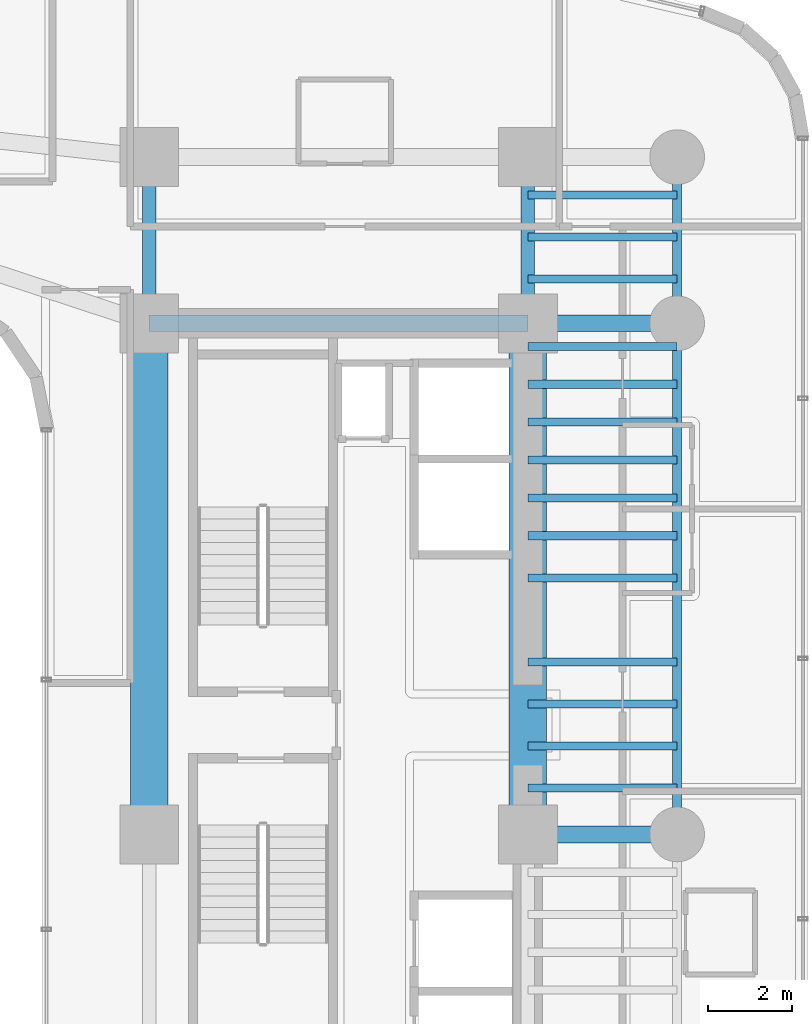
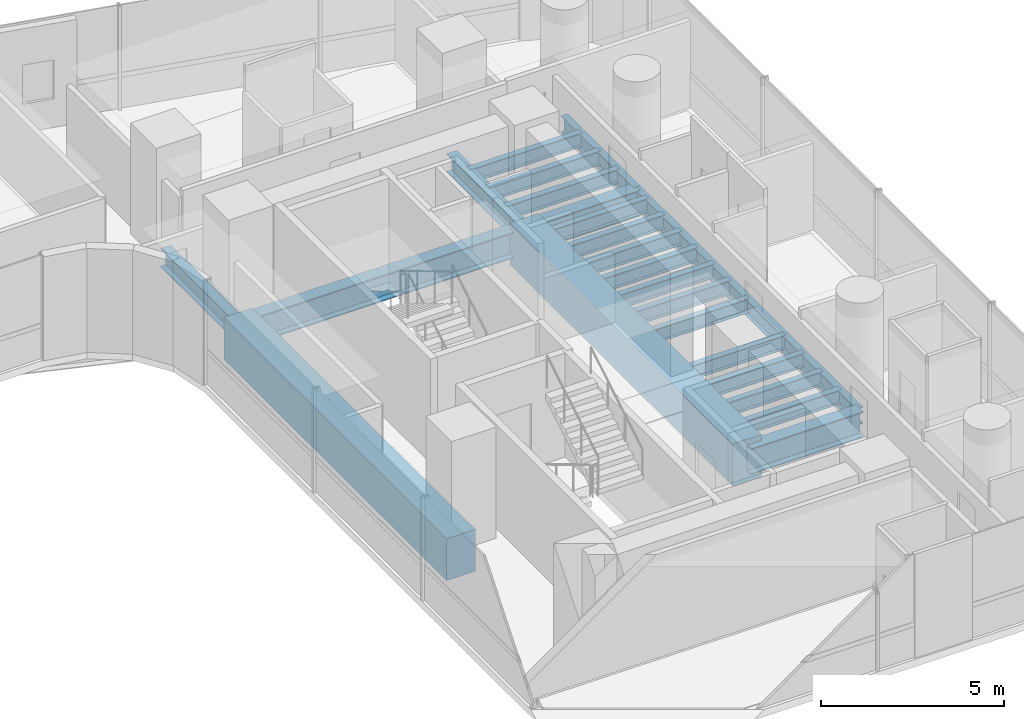
# One storey, part 17 of 41: 23 beams.
"""IFC4 building model written with IfcOpenShell, lengths in metres."""

from ifc_helpers import new_model, si_unit, direction, frame, origin, origin_2d, place, context, subcontext, project, spatial, rectangle, i_section, extrude, source, transform, mapped, material, material_profile, profile_set, type_object, element, save


model = new_model("IFC4")

# Units and contexts
model_context = context("Model", 3, precision=1e-05, world=origin(), true_north=direction((0.0, 1.0)))
body_context = subcontext(model_context, "Body", "Model", "MODEL_VIEW")
ifc_project = project(units=[si_unit("LENGTHUNIT", "METRE"), si_unit("AREAUNIT", "SQUARE_METRE"), si_unit("VOLUMEUNIT", "CUBIC_METRE"), si_unit("PLANEANGLEUNIT", "RADIAN"), si_unit("MASSUNIT", "GRAM", prefix="KILO")], contexts=[model_context])

# Site, building, storey
site_placement = place(None, origin())
site = spatial("IfcSite", under=ifc_project, at=site_placement, CompositionType="ELEMENT")
building_placement = place(site_placement, origin())
building = spatial("IfcBuilding", under=site, at=building_placement, Name="Valdorenza Pilgrim Sanctuary Tower", CompositionType="ELEMENT")
storey_placement = place(building_placement, frame((0.0, 0.0, 63.0)))
storey = spatial("IfcBuildingStorey", under=building, at=storey_placement, Name="L15", CompositionType="ELEMENT", Elevation=63.0)

# Beams
ifc_material_1 = material(Name="Concrete C60/75", Category="concrete")
ifc_material_profile_1 = material_profile(ifc_material_1, rectangle(XDim=0.89990234375, YDim=1.39990234375, at=origin_2d()), Name="RC 1400x900")
ifc_profile_set_1 = profile_set([ifc_material_profile_1], Name="Concrete C60/75")
beam_type_1 = type_object("IfcBeamType", Name="STR-BM-LNT-1400", PredefinedType="LINTEL", material=ifc_profile_set_1)
shared_shape_1 = source(origin(), body_context, "Body", "SweptSolid", [
    extrude(rectangle(XDim=0.89990234375, YDim=1.39990234375, at=origin_2d()), origin(), (0.0, 0.0, 1.0), 12.150146484375),
])
for number, where, z_axis, x_axis, name in (
    (1, (15.85009765625, -2.60009765625, -0.739990234375), (0.0, 1.0, 0.0), (-1.0, 0.0, 0.0), "L15 Core B West Coupling Lintel Girder"),
    (2, (24.85009765625, -2.60009765625, -0.739990234375), (0.0, 1.0, 0.0), (-1.0, 0.0, 0.0), "L15 Core B East Coupling Lintel Girder"),
):
    element("IfcBeam", number, at=place(storey_placement, frame(where, z_axis=z_axis, x_axis=x_axis)), inside=storey, type_object=beam_type_1, Name=name, PredefinedType="LINTEL", context=body_context, shape_type="MappedRepresentation", body=[
        mapped(shared_shape_1, transform((0.0, 0.0, 0.0), x_axis=(1.0, 0.0, 0.0), y_axis=(0.0, 1.0, 0.0), z_axis=(0.0, 0.0, 1.0), scale=1.0)),
    ])
ifc_material_2 = material(Name="Steel ASTM A992 Grade 50", Category="steel")
ifc_material_profile_2 = material_profile(ifc_material_2, i_section(OverallWidth=0.214111328125, OverallDepth=0.549072265625, WebThickness=0.0146484375, FlangeThickness=0.023681640625, at=origin_2d()), Name="W21X93")
ifc_profile_set_2 = profile_set([ifc_material_profile_2], Name="Steel ASTM A992 Grade 50")
beam_type_2 = type_object("IfcBeamType", Name="STR-BM-SPN-W21A", PredefinedType="SPANDREL", material=ifc_profile_set_2)
shared_shape_2 = source(origin(), body_context, "Body", "SweptSolid", [
    extrude(i_section(OverallWidth=0.214111328125, OverallDepth=0.549072265625, WebThickness=0.0146484375, FlangeThickness=0.023681640625, at=origin_2d()), origin(), (0.0, 0.0, 1.0), 12.150146484375),
])
beam_1_placement = place(storey_placement, frame((28.39990234375, -2.60009765625, -0.514404296875), z_axis=(0.0, 1.0, 0.0), x_axis=(-1.0, 0.0, 0.0)))
element("IfcBeam", 3, at=beam_1_placement, inside=storey, type_object=beam_type_2, Name="L15 Spandrel Beam WB-E-M0N1", PredefinedType="SPANDREL", context=body_context, shape_type="MappedRepresentation", body=[
    mapped(shared_shape_2, transform((0.0, 0.0, 0.0), x_axis=(1.0, 0.0, 0.0), y_axis=(0.0, 1.0, 0.0), z_axis=(0.0, 0.0, 1.0), scale=1.0)),
])
ifc_material_profile_3 = material_profile(ifc_material_2, i_section(OverallWidth=0.323974609375, OverallDepth=0.611083984375, WebThickness=0.0126953125, FlangeThickness=0.01904296875, at=origin_2d()), Name="W24X104")
ifc_profile_set_3 = profile_set([ifc_material_profile_3], Name="Steel ASTM A992 Grade 50")
beam_type_3 = type_object("IfcBeamType", Name="STR-BM-GRD-W24B", PredefinedType="BEAM", material=ifc_profile_set_3)
shared_shape_3 = source(origin(), body_context, "Body", "SweptSolid", [
    extrude(i_section(OverallWidth=0.323974609375, OverallDepth=0.611083984375, WebThickness=0.0126953125, FlangeThickness=0.01904296875, at=origin_2d()), origin(), (0.0, 0.0, 1.0), 3.949951171875),
])
for number, where, z_axis, x_axis, name in (
    (4, (15.85009765625, 9.550048828125, -0.54541015625), (0.0, 1.0, 0.0), (-1.0, 0.0, 0.0), "L15 Core Tie Girder CB-W-N1N2"),
    (5, (24.85009765625, 9.550048828125, -0.54541015625), (0.0, 1.0, 0.0), (-1.0, 0.0, 0.0), "L15 Core Tie Girder CB-E-N1N2"),
):
    element("IfcBeam", number, at=place(storey_placement, frame(where, z_axis=z_axis, x_axis=x_axis)), inside=storey, type_object=beam_type_3, Name=name, PredefinedType="BEAM", context=body_context, shape_type="MappedRepresentation", body=[
        mapped(shared_shape_3, transform((0.0, 0.0, 0.0), x_axis=(1.0, 0.0, 0.0), y_axis=(0.0, 1.0, 0.0), z_axis=(0.0, 0.0, 1.0), scale=1.0)),
    ])
shared_shape_4 = source(origin(), body_context, "Body", "SweptSolid", [
    extrude(i_section(OverallWidth=0.214111328125, OverallDepth=0.549072265625, WebThickness=0.0146484375, FlangeThickness=0.023681640625, at=origin_2d()), origin(), (0.0, 0.0, 1.0), 3.949951171875),
])
beam_2_placement = place(storey_placement, frame((28.39990234375, 9.550048828125, -0.514404296875), z_axis=(0.0, 1.0, 0.0), x_axis=(-1.0, 0.0, 0.0)))
element("IfcBeam", 6, at=beam_2_placement, inside=storey, type_object=beam_type_2, Name="L15 Spandrel Beam WB-E-N1N2", PredefinedType="SPANDREL", context=body_context, shape_type="MappedRepresentation", body=[
    mapped(shared_shape_4, transform((0.0, 0.0, 0.0), x_axis=(1.0, 0.0, 0.0), y_axis=(0.0, 1.0, 0.0), z_axis=(0.0, 0.0, 1.0), scale=1.0)),
])
ifc_material_profile_4 = material_profile(ifc_material_2, i_section(OverallWidth=0.193115234375, OverallDepth=0.466064453125, WebThickness=0.011474609375, FlangeThickness=0.01904296875, at=origin_2d()), Name="W18X65")
ifc_profile_set_4 = profile_set([ifc_material_profile_4], Name="Steel ASTM A992 Grade 50")
beam_type_4 = type_object("IfcBeamType", Name="STR-BM-JST-W18A", PredefinedType="JOIST", material=ifc_profile_set_4)
shared_shape_5 = source(origin(), body_context, "Body", "SweptSolid", [
    extrude(i_section(OverallWidth=0.193115234375, OverallDepth=0.466064453125, WebThickness=0.011474609375, FlangeThickness=0.01904296875, at=origin_2d()), origin(), (0.0, 0.0, 1.0), 3.5498046875),
])
for number, where, z_axis, x_axis, name in (
    (7, (24.85009765625, -1.5, -0.472900390625), (1.0, 0.0, 0.0), (0.0, 1.0, 0.0), "L15 Composite Floor Joist JST-WB-8"),
    (8, (24.85009765625, -0.5, -0.472900390625), (1.0, 0.0, 0.0), (0.0, 1.0, 0.0), "L15 Composite Floor Joist JST-WB-9"),
    (9, (24.85009765625, 0.5, -0.472900390625), (1.0, 0.0, 0.0), (0.0, 1.0, 0.0), "L15 Composite Floor Joist JST-WB-10"),
    (10, (24.85009765625, 1.5, -0.472900390625), (1.0, 0.0, 0.0), (0.0, 1.0, 0.0), "L15 Composite Floor Joist JST-WB-11"),
    (11, (24.85009765625, 3.5, -0.472900390625), (1.0, 0.0, 0.0), (0.0, 1.0, 0.0), "L15 Composite Floor Joist JST-WB-12"),
    (12, (24.85009765625, 4.5, -0.472900390625), (1.0, 0.0, 0.0), (0.0, 1.0, 0.0), "L15 Composite Floor Joist JST-WB-13"),
    (13, (24.85009765625, 5.39990234375, -0.472900390625), (1.0, 0.0, 0.0), (0.0, 1.0, 0.0), "L15 Composite Floor Joist JST-WB-14"),
    (14, (24.85009765625, 6.300048828125, -0.472900390625), (1.0, 0.0, 0.0), (0.0, 1.0, 0.0), "L15 Composite Floor Joist JST-WB-15"),
    (15, (24.85009765625, 7.199951171875, -0.472900390625), (1.0, 0.0, 0.0), (0.0, 1.0, 0.0), "L15 Composite Floor Joist JST-WB-16"),
    (16, (24.85009765625, 8.10009765625, -0.472900390625), (1.0, 0.0, 0.0), (0.0, 1.0, 0.0), "L15 Composite Floor Joist JST-WB-17"),
    (17, (24.85009765625, 9.0, -0.472900390625), (1.0, 0.0, 0.0), (0.0, 1.0, 0.0), "L15 Composite Floor Joist JST-WB-18"),
    (18, (24.85009765625, 10.60009765625, -0.472900390625), (1.0, 0.0, 0.0), (0.0, 1.0, 0.0), "L15 Composite Floor Joist JST-WB-19"),
    (19, (24.85009765625, 11.60009765625, -0.472900390625), (1.0, 0.0, 0.0), (0.0, 1.0, 0.0), "L15 Composite Floor Joist JST-WB-20"),
    (20, (24.85009765625, 12.60009765625, -0.472900390625), (1.0, 0.0, 0.0), (0.0, 1.0, 0.0), "L15 Composite Floor Joist JST-WB-21"),
):
    element("IfcBeam", number, at=place(storey_placement, frame(where, z_axis=z_axis, x_axis=x_axis)), inside=storey, type_object=beam_type_4, Name=name, PredefinedType="JOIST", context=body_context, shape_type="MappedRepresentation", body=[
        mapped(shared_shape_5, transform((0.0, 0.0, 0.0), x_axis=(1.0, 0.0, 0.0), y_axis=(0.0, 1.0, 0.0), z_axis=(0.0, 0.0, 1.0), scale=1.0)),
    ])
ifc_material_profile_5 = material_profile(ifc_material_2, i_section(OverallWidth=0.39990234375, OverallDepth=0.862060546875, WebThickness=0.019775390625, FlangeThickness=0.032470703125, at=origin_2d()), Name="W33X221")
ifc_profile_set_5 = profile_set([ifc_material_profile_5], Name="Steel ASTM A992 Grade 50")
beam_type_5 = type_object("IfcBeamType", Name="STR-BM-GRD-W33", PredefinedType="BEAM", material=ifc_profile_set_5)
shared_shape_6 = source(origin(), body_context, "Body", "SweptSolid", [
    extrude(i_section(OverallWidth=0.39990234375, OverallDepth=0.862060546875, WebThickness=0.019775390625, FlangeThickness=0.032470703125, at=origin_2d()), origin(), (0.0, 0.0, 1.0), 9.0),
])
beam_3_placement = place(storey_placement, frame((15.85009765625, 9.550048828125, -0.6708984375), z_axis=(1.0, 0.0, 0.0), x_axis=(0.0, 1.0, 0.0)))
element("IfcBeam", 21, at=beam_3_placement, inside=storey, type_object=beam_type_5, Name="L15 Floor Girder CB-XC-N1", PredefinedType="BEAM", context=body_context, shape_type="MappedRepresentation", body=[
    mapped(shared_shape_6, transform((0.0, 0.0, 0.0), x_axis=(1.0, 0.0, 0.0), y_axis=(0.0, 1.0, 0.0), z_axis=(0.0, 0.0, 1.0), scale=1.0)),
])
shared_shape_7 = source(origin(), body_context, "Body", "SweptSolid", [
    extrude(i_section(OverallWidth=0.39990234375, OverallDepth=0.862060546875, WebThickness=0.019775390625, FlangeThickness=0.032470703125, at=origin_2d()), origin(), (0.0, 0.0, 1.0), 3.5498046875),
])
for number, where, z_axis, x_axis, name in (
    (22, (24.85009765625, -2.60009765625, -0.6708984375), (1.0, 0.0, 0.0), (0.0, 1.0, 0.0), "L15 Floor Girder WB-XE-M0"),
    (23, (24.85009765625, 9.550048828125, -0.6708984375), (1.0, 0.0, 0.0), (0.0, 1.0, 0.0), "L15 Floor Girder WB-XE-N1"),
):
    element("IfcBeam", number, at=place(storey_placement, frame(where, z_axis=z_axis, x_axis=x_axis)), inside=storey, type_object=beam_type_5, Name=name, PredefinedType="BEAM", context=body_context, shape_type="MappedRepresentation", body=[
        mapped(shared_shape_7, transform((0.0, 0.0, 0.0), x_axis=(1.0, 0.0, 0.0), y_axis=(0.0, 1.0, 0.0), z_axis=(0.0, 0.0, 1.0), scale=1.0)),
    ])

save(model, "model.ifc")
